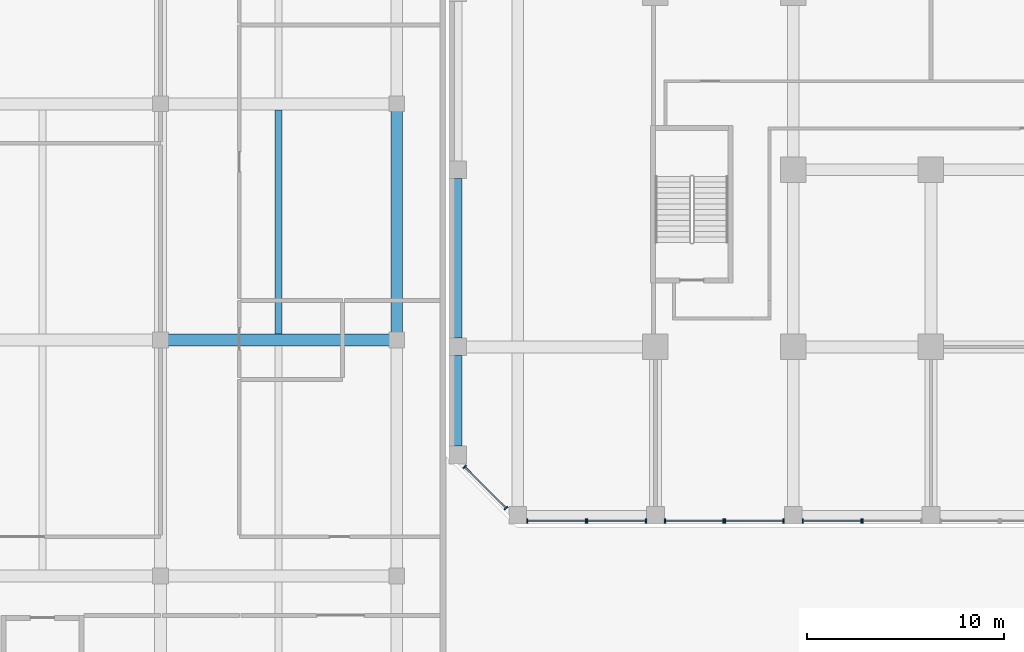
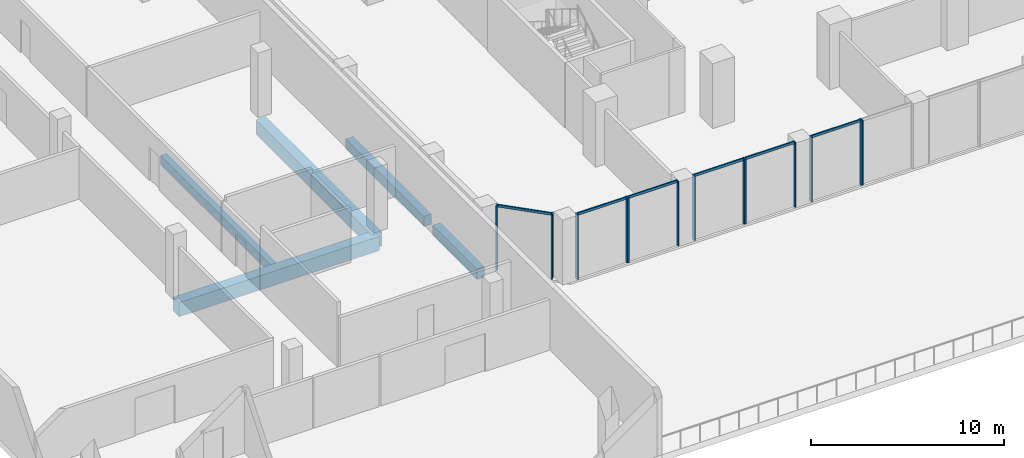
# One storey, part 2 of 38: 19 members, 5 beams, 7 elements without a shape of their own.
"""IFC4 building model written with IfcOpenShell, lengths in metres."""

from ifc_helpers import new_model, si_unit, direction, frame, origin, origin_2d, place, context, subcontext, project, spatial, rectangle, extrude, source, transform, mapped, material, material_profile, profile_set, type_object, element, aggregate, save


model = new_model("IFC4")

# Units and contexts
model_context = context("Model", 3, precision=1e-05, world=origin(), true_north=direction((0.0, 1.0)))
body_context = subcontext(model_context, "Body", "Model", "MODEL_VIEW")
ifc_project = project(units=[si_unit("LENGTHUNIT", "METRE"), si_unit("AREAUNIT", "SQUARE_METRE"), si_unit("VOLUMEUNIT", "CUBIC_METRE"), si_unit("PLANEANGLEUNIT", "RADIAN"), si_unit("MASSUNIT", "GRAM", prefix="KILO")], contexts=[model_context])

# Site, building, storey
site_placement = place(None, origin())
site = spatial("IfcSite", under=ifc_project, at=site_placement, CompositionType="ELEMENT")
building_placement = place(site_placement, origin())
building = spatial("IfcBuilding", under=site, at=building_placement, Name="Kilnfold Tower and Market Hall", CompositionType="ELEMENT")
storey_placement = place(building_placement, frame((0.0, 0.0, 9.0)))
storey = spatial("IfcBuildingStorey", under=building, at=storey_placement, Name="L01", CompositionType="ELEMENT", Elevation=9.0)

# Beams
ifc_material_1 = material(Name="Concrete C40/50", Category="concrete")
ifc_material_profile_1 = material_profile(ifc_material_1, rectangle(XDim=0.60009765625, YDim=0.89990234375, at=origin_2d()), Name="RC 600x900")
ifc_profile_set_1 = profile_set([ifc_material_profile_1], Name="Concrete C40/50")
beam_type_1 = type_object("IfcBeamType", Name="HALL GIRDER 600X900", PredefinedType="BEAM", material=ifc_profile_set_1)
for number, where, z_axis, x_axis, name in (
    (1, (-42.64990234375, -18.64990234375, -0.85009765625), (1.0, 0.0, 0.0), (0.0, 1.0, 0.0), "Beam MG1.23"),
    (2, (-30.64990234375, -18.64990234375, -0.85009765625), (0.0, 1.0, 0.0), (-1.0, 0.0, 0.0), "Beam MG1.37"),
):
    element("IfcBeam", number, at=place(storey_placement, frame(where, z_axis=z_axis, x_axis=x_axis)), inside=storey, type_object=beam_type_1, Name=name, PredefinedType="BEAM", context=body_context, shape_type="SweptSolid", body=[
        extrude(rectangle(XDim=0.60009765625, YDim=0.89990234375, at=origin_2d()), origin(), (0.0, 0.0, 1.0), 12.0),
    ])
ifc_material_2 = material(Name="Concrete C40/50", Category="concrete")
ifc_material_profile_2 = material_profile(ifc_material_2, rectangle(XDim=0.35009765625, YDim=0.60009765625, at=origin_2d()), Name="RC 350x600")
ifc_profile_set_2 = profile_set([ifc_material_profile_2], Name="Concrete C40/50")
beam_type_2 = type_object("IfcBeamType", Name="HALL JOIST 350X600", PredefinedType="BEAM", material=ifc_profile_set_2)
beam_1_placement = place(storey_placement, frame((-36.64990234375, -18.35009765625, -0.699951171875), z_axis=(0.0, 1.0, 0.0), x_axis=(-1.0, 0.0, 0.0)))
element("IfcBeam", 3, at=beam_1_placement, inside=storey, type_object=beam_type_2, Name="Beam MJ1.5", PredefinedType="BEAM", context=body_context, shape_type="SweptSolid", body=[
    extrude(rectangle(XDim=0.35009765625, YDim=0.60009765625, at=origin_2d()), origin(), (0.0, 0.0, 1.0), 11.400146484375),
])
ifc_material_3 = material(Name="Concrete C45", Category="concrete")
ifc_material_profile_3 = material_profile(ifc_material_3, rectangle(XDim=0.449951171875, YDim=0.64990234375, at=origin_2d()), Name="RC 450x650")
ifc_profile_set_3 = profile_set([ifc_material_profile_3], Name="Concrete C45")
beam_type_3 = type_object("IfcBeamType", Name="EDGE BEAM 450X650 C45", PredefinedType="BEAM", material=ifc_profile_set_3)
shared_shape_1 = source(origin(), body_context, "Body", "SweptSolid", [
    extrude(rectangle(XDim=0.449951171875, YDim=0.64990234375, at=origin_2d()), origin(), (0.0, 0.0, 1.0), 4.60009765625),
])
beam_2_placement = place(storey_placement, frame((-27.550048828125, -24.050048828125, -0.72509765625), z_axis=(0.0, 1.0, 0.0), x_axis=(-1.0, 0.0, 0.0)))
element("IfcBeam", 4, at=beam_2_placement, inside=storey, type_object=beam_type_3, Name="Beam EB650-B1.30", PredefinedType="BEAM", context=body_context, shape_type="MappedRepresentation", body=[
    mapped(shared_shape_1, transform((0.0, 0.0, 0.0))),
])
shared_shape_2 = source(origin(), body_context, "Body", "SweptSolid", [
    extrude(rectangle(XDim=0.449951171875, YDim=0.64990234375, at=origin_2d()), origin(), (0.0, 0.0, 1.0), 8.10009765625),
])
beam_3_placement = place(storey_placement, frame((-27.550048828125, -18.550048828125, -0.72509765625), z_axis=(0.0, 1.0, 0.0), x_axis=(-1.0, 0.0, 0.0)))
element("IfcBeam", 5, at=beam_3_placement, inside=storey, type_object=beam_type_3, Name="Beam EB650-B1.31", PredefinedType="BEAM", context=body_context, shape_type="MappedRepresentation", body=[
    mapped(shared_shape_2, transform((0.0, 0.0, 0.0))),
])

# Curtain wall, members
ifc_material_4 = material(Name="Aluminium and double glazing", Category="aluminium")
curtain_wall_type = type_object("IfcCurtainWallType", Name="CW BASE PODIUM GLAZING", PredefinedType="NOTDEFINED", material=ifc_material_4)
curtain_wall_1_placement = place(storey_placement, origin())
curtain_wall_1 = element("IfcCurtainWall", 6, at=curtain_wall_1_placement, inside=storey, type_object=curtain_wall_type, Name="Curtain wall CW4 L01 S", PredefinedType="NOTDEFINED")
ifc_material_5 = material(Name="Aluminium", Category="aluminium")
ifc_material_profile_4 = material_profile(ifc_material_5, rectangle(XDim=0.070068359375, YDim=0.219970703125, at=origin_2d()), Name="MULLION 70x220")
ifc_profile_set_4 = profile_set([ifc_material_profile_4], Name="Aluminium")
member_type_1 = type_object("IfcMemberType", Name="MULLION 70X220", PredefinedType="MULLION", material=ifc_profile_set_4)
shared_shape_3 = source(origin(), body_context, "Body", "SweptSolid", [
    extrude(rectangle(XDim=0.070068359375, YDim=0.219970703125, at=origin_2d()), origin(), (0.0, 0.0, 1.0), 4.10009765625),
])
member_1_placement = place(storey_placement, frame((-24.014892578125, -27.85009765625, 0.0), z_axis=(0.0, 0.0, 1.0), x_axis=(1.0, 0.0, 0.0)))
member_1 = element("IfcMember", 7, at=member_1_placement, type_object=member_type_1, Name="CW4 mullion 1", PredefinedType="MULLION", context=body_context, shape_type="MappedRepresentation", body=[
    mapped(shared_shape_3, transform((0.0, 0.0, 0.0))),
])
member_2_placement = place(storey_placement, frame((-21.034912109375, -27.85009765625, 0.0), z_axis=(0.0, 0.0, 1.0), x_axis=(1.0, 0.0, 0.0)))
member_2 = element("IfcMember", 8, at=member_2_placement, type_object=member_type_1, Name="CW4 mullion 2", PredefinedType="MULLION", context=body_context, shape_type="MappedRepresentation", body=[
    mapped(shared_shape_3, transform((0.0, 0.0, 0.0))),
])

curtain_wall_2_placement = place(storey_placement, origin())
curtain_wall_2 = element("IfcCurtainWall", 9, at=curtain_wall_2_placement, inside=storey, type_object=curtain_wall_type, Name="Curtain wall CW4 L01 S", PredefinedType="NOTDEFINED")
member_3_placement = place(storey_placement, frame((-20.965087890625, -27.85009765625, 0.0), z_axis=(0.0, 0.0, 1.0), x_axis=(1.0, 0.0, 0.0)))
member_3 = element("IfcMember", 10, at=member_3_placement, type_object=member_type_1, Name="CW4 mullion 1", PredefinedType="MULLION", context=body_context, shape_type="MappedRepresentation", body=[
    mapped(shared_shape_3, transform((0.0, 0.0, 0.0))),
])
member_4_placement = place(storey_placement, frame((-17.985107421875, -27.85009765625, 0.0), z_axis=(0.0, 0.0, 1.0), x_axis=(1.0, 0.0, 0.0)))
member_4 = element("IfcMember", 11, at=member_4_placement, type_object=member_type_1, Name="CW4 mullion 2", PredefinedType="MULLION", context=body_context, shape_type="MappedRepresentation", body=[
    mapped(shared_shape_3, transform((0.0, 0.0, 0.0))),
])

curtain_wall_3_placement = place(storey_placement, origin())
curtain_wall_3 = element("IfcCurtainWall", 12, at=curtain_wall_3_placement, inside=storey, type_object=curtain_wall_type, Name="Curtain wall CW4 L01 S", PredefinedType="NOTDEFINED")
member_5_placement = place(storey_placement, frame((-17.014892578125, -27.85009765625, 0.0), z_axis=(0.0, 0.0, 1.0), x_axis=(1.0, 0.0, 0.0)))
member_5 = element("IfcMember", 13, at=member_5_placement, type_object=member_type_1, Name="CW4 mullion 1", PredefinedType="MULLION", context=body_context, shape_type="MappedRepresentation", body=[
    mapped(shared_shape_3, transform((0.0, 0.0, 0.0))),
])
member_6_placement = place(storey_placement, frame((-14.034912109375, -27.85009765625, 0.0), z_axis=(0.0, 0.0, 1.0), x_axis=(1.0, 0.0, 0.0)))
member_6 = element("IfcMember", 14, at=member_6_placement, type_object=member_type_1, Name="CW4 mullion 2", PredefinedType="MULLION", context=body_context, shape_type="MappedRepresentation", body=[
    mapped(shared_shape_3, transform((0.0, 0.0, 0.0))),
])

curtain_wall_4_placement = place(storey_placement, origin())
curtain_wall_4 = element("IfcCurtainWall", 15, at=curtain_wall_4_placement, inside=storey, type_object=curtain_wall_type, Name="Curtain wall CW4 L01 S", PredefinedType="NOTDEFINED")
member_7_placement = place(storey_placement, frame((-13.965087890625, -27.85009765625, 0.0), z_axis=(0.0, 0.0, 1.0), x_axis=(1.0, 0.0, 0.0)))
member_7 = element("IfcMember", 16, at=member_7_placement, type_object=member_type_1, Name="CW4 mullion 1", PredefinedType="MULLION", context=body_context, shape_type="MappedRepresentation", body=[
    mapped(shared_shape_3, transform((0.0, 0.0, 0.0))),
])
member_8_placement = place(storey_placement, frame((-10.985107421875, -27.85009765625, 0.0), z_axis=(0.0, 0.0, 1.0), x_axis=(1.0, 0.0, 0.0)))
member_8 = element("IfcMember", 17, at=member_8_placement, type_object=member_type_1, Name="CW4 mullion 2", PredefinedType="MULLION", context=body_context, shape_type="MappedRepresentation", body=[
    mapped(shared_shape_3, transform((0.0, 0.0, 0.0))),
])

curtain_wall_5_placement = place(storey_placement, origin())
curtain_wall_5 = element("IfcCurtainWall", 18, at=curtain_wall_5_placement, inside=storey, type_object=curtain_wall_type, Name="Curtain wall CW4 L01 S", PredefinedType="NOTDEFINED")
member_9_placement = place(storey_placement, frame((-10.014892578125, -27.85009765625, 0.0), z_axis=(0.0, 0.0, 1.0), x_axis=(1.0, 0.0, 0.0)))
member_9 = element("IfcMember", 19, at=member_9_placement, type_object=member_type_1, Name="CW4 mullion 1", PredefinedType="MULLION", context=body_context, shape_type="MappedRepresentation", body=[
    mapped(shared_shape_3, transform((0.0, 0.0, 0.0))),
])
member_10_placement = place(storey_placement, frame((-7.034912109375, -27.85009765625, 0.0), z_axis=(0.0, 0.0, 1.0), x_axis=(1.0, 0.0, 0.0)))
member_10 = element("IfcMember", 20, at=member_10_placement, type_object=member_type_1, Name="CW4 mullion 2", PredefinedType="MULLION", context=body_context, shape_type="MappedRepresentation", body=[
    mapped(shared_shape_3, transform((0.0, 0.0, 0.0))),
])

# Curtain wall, member
curtain_wall_6_placement = place(storey_placement, origin())
curtain_wall_6 = element("IfcCurtainWall", 21, at=curtain_wall_6_placement, inside=storey, type_object=curtain_wall_type, Name="Curtain wall CW4 L01 S", PredefinedType="NOTDEFINED")
member_11_placement = place(storey_placement, frame((-6.965087890625, -27.85009765625, 0.0), z_axis=(0.0, 0.0, 1.0), x_axis=(1.0, 0.0, 0.0)))
member_11 = element("IfcMember", 22, at=member_11_placement, type_object=member_type_1, Name="CW4 mullion 1", PredefinedType="MULLION", context=body_context, shape_type="MappedRepresentation", body=[
    mapped(shared_shape_3, transform((0.0, 0.0, 0.0))),
])
aggregate(curtain_wall_6, [member_11])

# Curtain wall, members
curtain_wall_7_placement = place(storey_placement, origin())
curtain_wall_7 = element("IfcCurtainWall", 23, at=curtain_wall_7_placement, inside=storey, type_object=curtain_wall_type, Name="Curtain wall CW4 L01 SW", PredefinedType="NOTDEFINED")
member_12_placement = place(storey_placement, frame((-27.194091796875, -25.09375, 0.0), z_axis=(0.0, 0.0, 1.0), x_axis=(0.707090337034, -0.707123224957, 0.0)))
member_12 = element("IfcMember", 24, at=member_12_placement, type_object=member_type_1, Name="CW4 mullion 1", PredefinedType="MULLION", context=body_context, shape_type="MappedRepresentation", body=[
    mapped(shared_shape_3, transform((0.0, 0.0, 0.0))),
])
member_13_placement = place(storey_placement, frame((-25.09375, -27.1943359375, 0.0), z_axis=(0.0, 0.0, 1.0), x_axis=(0.707090337034, -0.707123224957, 0.0)))
member_13 = element("IfcMember", 25, at=member_13_placement, type_object=member_type_1, Name="CW4 mullion 2", PredefinedType="MULLION", context=body_context, shape_type="MappedRepresentation", body=[
    mapped(shared_shape_3, transform((0.0, 0.0, 0.0))),
])

# Member
ifc_material_6 = material(Name="Aluminium", Category="aluminium")
ifc_material_profile_5 = material_profile(ifc_material_6, rectangle(XDim=0.070068359375, YDim=0.159912109375, at=origin_2d()), Name="TRANSOM 70x160")
ifc_profile_set_5 = profile_set([ifc_material_profile_5], Name="Aluminium")
member_type_2 = type_object("IfcMemberType", Name="TRANSOM 70X160", PredefinedType="USERDEFINED", material=ifc_profile_set_5)
shared_shape_4 = source(origin(), body_context, "Body", "SweptSolid", [
    extrude(rectangle(XDim=0.070068359375, YDim=0.159912109375, at=origin_2d()), origin(), (0.0, 0.0, 1.0), 2.909912109375),
])
member_14_placement = place(storey_placement, frame((-23.97998046875, -27.85009765625, 4.06494140625), z_axis=(1.0, 0.0, 0.0), x_axis=(0.0, 1.0, 0.0)))
member_14 = element("IfcMember", 26, at=member_14_placement, type_object=member_type_2, Name="CW4 transom 1.2", ObjectType="TRANSOM", PredefinedType="USERDEFINED", context=body_context, shape_type="MappedRepresentation", body=[
    mapped(shared_shape_4, transform((0.0, 0.0, 0.0))),
])

aggregate(curtain_wall_1, [member_1, member_2, member_14])

member_15_placement = place(storey_placement, frame((-20.929931640625, -27.85009765625, 4.06494140625), z_axis=(1.0, 0.0, 0.0), x_axis=(0.0, 1.0, 0.0)))
member_15 = element("IfcMember", 27, at=member_15_placement, type_object=member_type_2, Name="CW4 transom 1.2", ObjectType="TRANSOM", PredefinedType="USERDEFINED", context=body_context, shape_type="MappedRepresentation", body=[
    mapped(shared_shape_4, transform((0.0, 0.0, 0.0))),
])

aggregate(curtain_wall_2, [member_3, member_4, member_15])

member_16_placement = place(storey_placement, frame((-16.97998046875, -27.85009765625, 4.06494140625), z_axis=(1.0, 0.0, 0.0), x_axis=(0.0, 1.0, 0.0)))
member_16 = element("IfcMember", 28, at=member_16_placement, type_object=member_type_2, Name="CW4 transom 1.2", ObjectType="TRANSOM", PredefinedType="USERDEFINED", context=body_context, shape_type="MappedRepresentation", body=[
    mapped(shared_shape_4, transform((0.0, 0.0, 0.0))),
])

aggregate(curtain_wall_3, [member_5, member_6, member_16])

member_17_placement = place(storey_placement, frame((-13.929931640625, -27.85009765625, 4.06494140625), z_axis=(1.0, 0.0, 0.0), x_axis=(0.0, 1.0, 0.0)))
member_17 = element("IfcMember", 29, at=member_17_placement, type_object=member_type_2, Name="CW4 transom 1.2", ObjectType="TRANSOM", PredefinedType="USERDEFINED", context=body_context, shape_type="MappedRepresentation", body=[
    mapped(shared_shape_4, transform((0.0, 0.0, 0.0))),
])

aggregate(curtain_wall_4, [member_7, member_8, member_17])

member_18_placement = place(storey_placement, frame((-9.97998046875, -27.85009765625, 4.06494140625), z_axis=(1.0, 0.0, 0.0), x_axis=(0.0, 1.0, 0.0)))
member_18 = element("IfcMember", 30, at=member_18_placement, type_object=member_type_2, Name="CW4 transom 1.2", ObjectType="TRANSOM", PredefinedType="USERDEFINED", context=body_context, shape_type="MappedRepresentation", body=[
    mapped(shared_shape_4, transform((0.0, 0.0, 0.0))),
])

aggregate(curtain_wall_5, [member_9, member_10, member_18])

shared_shape_5 = source(origin(), body_context, "Body", "SweptSolid", [
    extrude(rectangle(XDim=0.070068359375, YDim=0.159912109375, at=origin_2d()), origin(), (0.0, 0.0, 1.0), 2.900634765625),
])
member_19_placement = place(storey_placement, frame((-27.16943359375, -25.118408203125, 4.06494140625), z_axis=(0.707106781187, -0.707106781187, 0.0), x_axis=(0.707106781187, 0.707106781187, 0.0)))
member_19 = element("IfcMember", 31, at=member_19_placement, type_object=member_type_2, Name="CW4 transom 1.2", ObjectType="TRANSOM", PredefinedType="USERDEFINED", context=body_context, shape_type="MappedRepresentation", body=[
    mapped(shared_shape_5, transform((0.0, 0.0, 0.0))),
])

aggregate(curtain_wall_7, [member_12, member_13, member_19])

save(model, "model.ifc")
